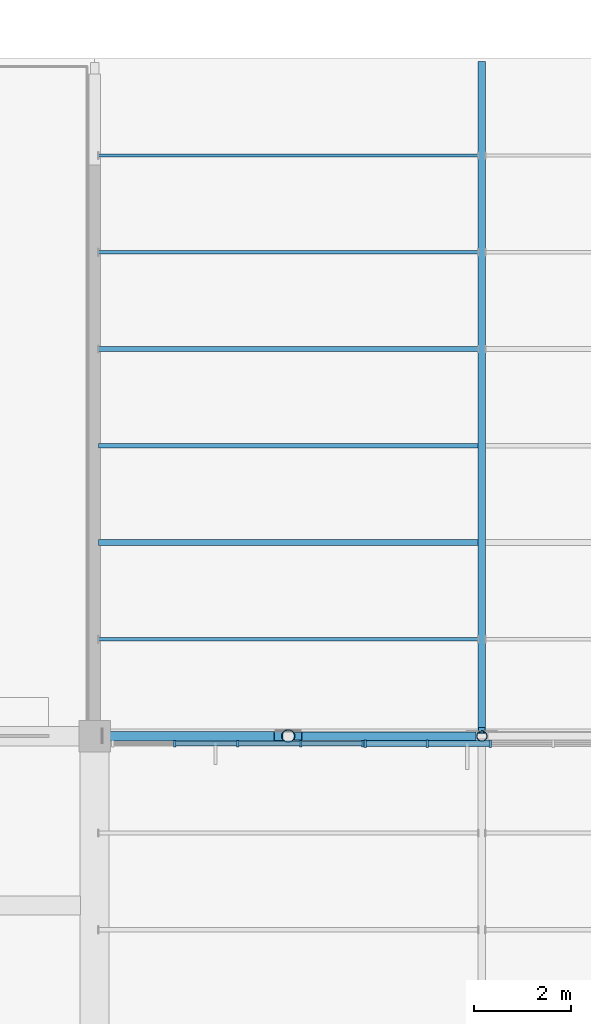
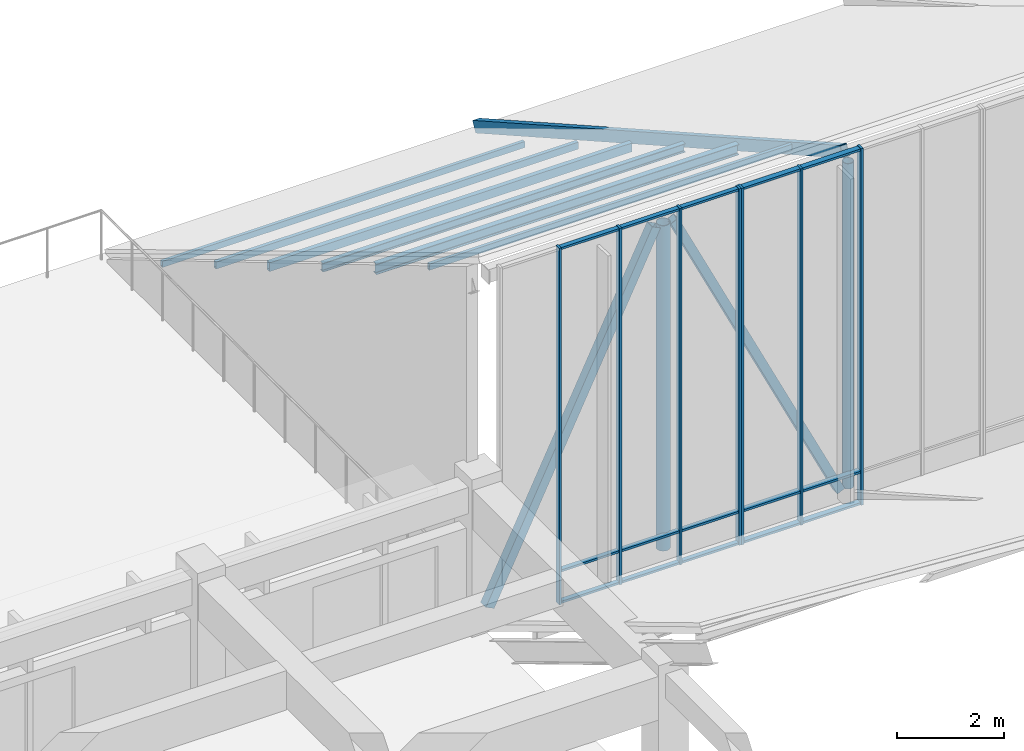
# One storey, part 64 of 155: 33 members, 2 elements without a shape of their own.
"""IFC4 building model written with IfcOpenShell, lengths in metres."""

from ifc_helpers import new_model, si_unit, direction, frame, origin, origin_2d, place, context, subcontext, project, spatial, rectangle, hollow_rectangle, hollow_circle, i_section, extrude, material, material_profile, profile_set, type_object, element, aggregate, save


model = new_model("IFC4")

# Units and contexts
model_context = context("Model", 3, precision=1e-05, world=origin(), true_north=direction((0.0, 1.0)))
body_context = subcontext(model_context, "Body", "Model", "MODEL_VIEW")
ifc_project = project(units=[si_unit("LENGTHUNIT", "METRE"), si_unit("AREAUNIT", "SQUARE_METRE"), si_unit("VOLUMEUNIT", "CUBIC_METRE"), si_unit("PLANEANGLEUNIT", "RADIAN"), si_unit("MASSUNIT", "GRAM", prefix="KILO")], contexts=[model_context])

# Site, building, storey
site_placement = place(None, origin())
site = spatial("IfcSite", under=ifc_project, at=site_placement, CompositionType="ELEMENT")
building_placement = place(site_placement, origin())
building = spatial("IfcBuilding", under=site, at=building_placement, Name="Larkveld Mobility Hub", CompositionType="ELEMENT")
storey_placement = place(building_placement, frame((0.0, 0.0, 8.39990234375)))
storey = spatial("IfcBuildingStorey", under=building, at=storey_placement, Name="L02", CompositionType="ELEMENT", Elevation=8.39990234375)

# Curtain wall, members
ifc_material_1 = material(Name="Anodised aluminium 6063-T6", Category="aluminium")
curtain_wall_type_1 = type_object("IfcCurtainWallType", Name="CW-SYS-09", PredefinedType="NOTDEFINED", material=ifc_material_1)
curtain_wall_1_placement = place(storey_placement, origin())
curtain_wall_1 = element("IfcCurtainWall", 1, at=curtain_wall_1_placement, inside=storey, type_object=curtain_wall_type_1, Name="Sawtooth South-Light Clerestory B7 CW-045", PredefinedType="NOTDEFINED")
ifc_material_profile_1 = material_profile(ifc_material_1, rectangle(XDim=0.050048828125, YDim=0.14990234375, at=origin_2d()), Name="ALU MULL 50x150")
ifc_profile_set_1 = profile_set([ifc_material_profile_1], Name="Anodised aluminium 6063-T6")
member_type_1 = type_object("IfcMemberType", Name="CW-MUL-01", PredefinedType="MULLION", material=ifc_profile_set_1)
member_1_placement = place(storey_placement, frame((157.592041015625, 111.844970703125, -0.001953125), z_axis=(0.0, 0.0, 1.0), x_axis=(1.0, 0.0, 0.0)))
member_1 = element("IfcMember", 2, at=member_1_placement, type_object=member_type_1, Name="CW09 mullion 1", PredefinedType="MULLION", context=body_context, shape_type="SweptSolid", body=[
    extrude(rectangle(XDim=0.050048828125, YDim=0.14990234375, at=origin_2d()), origin(), (0.0, 0.0, 1.0), 8.152099609375),
])
member_2_placement = place(storey_placement, frame((158.87109375, 111.844970703125, -0.001953125), z_axis=(0.0, 0.0, 1.0), x_axis=(1.0, 0.0, 0.0)))
member_2 = element("IfcMember", 3, at=member_2_placement, type_object=member_type_1, Name="CW09 mullion 2", PredefinedType="MULLION", context=body_context, shape_type="SweptSolid", body=[
    extrude(rectangle(XDim=0.050048828125, YDim=0.14990234375, at=origin_2d()), origin(), (0.0, 0.0, 1.0), 8.152099609375),
])
member_3_placement = place(storey_placement, frame((160.175048828125, 111.844970703125, -0.001953125), z_axis=(0.0, 0.0, 1.0), x_axis=(1.0, 0.0, 0.0)))
member_3 = element("IfcMember", 4, at=member_3_placement, type_object=member_type_1, Name="CW09 mullion 3", PredefinedType="MULLION", context=body_context, shape_type="SweptSolid", body=[
    extrude(rectangle(XDim=0.050048828125, YDim=0.14990234375, at=origin_2d()), origin(), (0.0, 0.0, 1.0), 8.152099609375),
])

curtain_wall_type_2 = type_object("IfcCurtainWallType", Name="CW-SYS-08", PredefinedType="NOTDEFINED", material=ifc_material_1)
curtain_wall_2_placement = place(storey_placement, origin())
curtain_wall_2 = element("IfcCurtainWall", 5, at=curtain_wall_2_placement, inside=storey, type_object=curtain_wall_type_2, Name="Sawtooth South-Light Clerestory B7 CW-044", PredefinedType="NOTDEFINED")
ifc_material_profile_2 = material_profile(ifc_material_1, rectangle(XDim=0.050048828125, YDim=0.1298828125, at=origin_2d()), Name="ALU MULL 50x130")
ifc_profile_set_2 = profile_set([ifc_material_profile_2], Name="Anodised aluminium 6063-T6")
member_type_2 = type_object("IfcMemberType", Name="CW-MUL-04", PredefinedType="MULLION", material=ifc_profile_set_2)
member_4_placement = place(storey_placement, frame((153.654052734375, 111.844970703125, -0.001953125), z_axis=(0.0, 0.0, 1.0), x_axis=(1.0, 0.0, 0.0)))
member_4 = element("IfcMember", 6, at=member_4_placement, type_object=member_type_2, Name="CW08 mullion 2", PredefinedType="MULLION", context=body_context, shape_type="SweptSolid", body=[
    extrude(rectangle(XDim=0.050048828125, YDim=0.1298828125, at=origin_2d()), origin(), (0.0, 0.0, 1.0), 8.152099609375),
])
member_5_placement = place(storey_placement, frame((154.9580078125, 111.844970703125, -0.001953125), z_axis=(0.0, 0.0, 1.0), x_axis=(1.0, 0.0, 0.0)))
member_5 = element("IfcMember", 7, at=member_5_placement, type_object=member_type_2, Name="CW08 mullion 3", PredefinedType="MULLION", context=body_context, shape_type="SweptSolid", body=[
    extrude(rectangle(XDim=0.050048828125, YDim=0.1298828125, at=origin_2d()), origin(), (0.0, 0.0, 1.0), 8.152099609375),
])
member_6_placement = place(storey_placement, frame((156.261962890625, 111.844970703125, -0.001953125), z_axis=(0.0, 0.0, 1.0), x_axis=(1.0, 0.0, 0.0)))
member_6 = element("IfcMember", 8, at=member_6_placement, type_object=member_type_2, Name="CW08 mullion 4", PredefinedType="MULLION", context=body_context, shape_type="SweptSolid", body=[
    extrude(rectangle(XDim=0.050048828125, YDim=0.1298828125, at=origin_2d()), origin(), (0.0, 0.0, 1.0), 8.152099609375),
])
member_7_placement = place(storey_placement, frame((157.5419921875, 111.844970703125, -0.001953125), z_axis=(0.0, 0.0, 1.0), x_axis=(1.0, 0.0, 0.0)))
member_7 = element("IfcMember", 9, at=member_7_placement, type_object=member_type_2, Name="CW08 mullion 5", PredefinedType="MULLION", context=body_context, shape_type="SweptSolid", body=[
    extrude(rectangle(XDim=0.050048828125, YDim=0.1298828125, at=origin_2d()), origin(), (0.0, 0.0, 1.0), 8.152099609375),
])

# Member
ifc_material_profile_3 = material_profile(ifc_material_1, rectangle(XDim=0.1201171875, YDim=0.050048828125, at=origin_2d()), Name="ALU TRAN 50x120")
ifc_profile_set_3 = profile_set([ifc_material_profile_3], Name="Anodised aluminium 6063-T6")
member_type_3 = type_object("IfcMemberType", Name="CW-TRN-01", PredefinedType="USERDEFINED", material=ifc_profile_set_3)
member_8_placement = place(storey_placement, frame((157.60205078125, 111.844970703125, 0.030029296875), z_axis=(1.0, 0.0, 0.0), x_axis=(0.0, 1.0, 0.0)))
member_8 = element("IfcMember", 10, at=member_8_placement, type_object=member_type_3, Name="CW09 transom 1.1", ObjectType="TRANSOM", PredefinedType="USERDEFINED", context=body_context, shape_type="SweptSolid", body=[
    extrude(rectangle(XDim=0.1201171875, YDim=0.050048828125, at=origin_2d()), origin(), (0.0, 0.0, 1.0), 1.25390625),
])

member_9_placement = place(storey_placement, frame((157.60205078125, 111.844970703125, 0.75), z_axis=(1.0, 0.0, 0.0), x_axis=(0.0, 1.0, 0.0)))
member_9 = element("IfcMember", 11, at=member_9_placement, type_object=member_type_3, Name="CW09 transom 1.2", ObjectType="TRANSOM", PredefinedType="USERDEFINED", context=body_context, shape_type="SweptSolid", body=[
    extrude(rectangle(XDim=0.1201171875, YDim=0.050048828125, at=origin_2d()), origin(), (0.0, 0.0, 1.0), 1.25390625),
])

member_10_placement = place(storey_placement, frame((157.60205078125, 111.844970703125, 8.1181640625), z_axis=(1.0, 0.0, 0.0), x_axis=(0.0, 1.0, 0.0)))
member_10 = element("IfcMember", 12, at=member_10_placement, type_object=member_type_3, Name="CW09 transom 1.3", ObjectType="TRANSOM", PredefinedType="USERDEFINED", context=body_context, shape_type="SweptSolid", body=[
    extrude(rectangle(XDim=0.1201171875, YDim=0.050048828125, at=origin_2d()), origin(), (0.0, 0.0, 1.0), 1.25390625),
])

member_11_placement = place(storey_placement, frame((158.885986328125, 111.844970703125, 0.030029296875), z_axis=(1.0, 0.0, 0.0), x_axis=(0.0, 1.0, 0.0)))
member_11 = element("IfcMember", 13, at=member_11_placement, type_object=member_type_3, Name="CW09 transom 2.1", ObjectType="TRANSOM", PredefinedType="USERDEFINED", context=body_context, shape_type="SweptSolid", body=[
    extrude(rectangle(XDim=0.1201171875, YDim=0.050048828125, at=origin_2d()), origin(), (0.0, 0.0, 1.0), 1.27392578125),
])

member_12_placement = place(storey_placement, frame((158.885986328125, 111.844970703125, 0.75), z_axis=(1.0, 0.0, 0.0), x_axis=(0.0, 1.0, 0.0)))
member_12 = element("IfcMember", 14, at=member_12_placement, type_object=member_type_3, Name="CW09 transom 2.2", ObjectType="TRANSOM", PredefinedType="USERDEFINED", context=body_context, shape_type="SweptSolid", body=[
    extrude(rectangle(XDim=0.1201171875, YDim=0.050048828125, at=origin_2d()), origin(), (0.0, 0.0, 1.0), 1.27392578125),
])

member_13_placement = place(storey_placement, frame((158.885986328125, 111.844970703125, 8.1181640625), z_axis=(1.0, 0.0, 0.0), x_axis=(0.0, 1.0, 0.0)))
member_13 = element("IfcMember", 15, at=member_13_placement, type_object=member_type_3, Name="CW09 transom 2.3", ObjectType="TRANSOM", PredefinedType="USERDEFINED", context=body_context, shape_type="SweptSolid", body=[
    extrude(rectangle(XDim=0.1201171875, YDim=0.050048828125, at=origin_2d()), origin(), (0.0, 0.0, 1.0), 1.27392578125),
])

aggregate(curtain_wall_1, [member_1, member_2, member_3, member_8, member_9, member_10, member_11, member_12, member_13])

ifc_material_profile_4 = material_profile(ifc_material_1, rectangle(XDim=0.10009765625, YDim=0.050048828125, at=origin_2d()), Name="ALU TRAN 50x100")
ifc_profile_set_4 = profile_set([ifc_material_profile_4], Name="Anodised aluminium 6063-T6")
member_type_4 = type_object("IfcMemberType", Name="CW-TRN-04", PredefinedType="USERDEFINED", material=ifc_profile_set_4)
member_14_placement = place(storey_placement, frame((153.6689453125, 111.844970703125, 0.030029296875), z_axis=(1.0, 0.0, 0.0), x_axis=(0.0, 1.0, 0.0)))
member_14 = element("IfcMember", 16, at=member_14_placement, type_object=member_type_4, Name="CW08 transom 2.1", ObjectType="TRANSOM", PredefinedType="USERDEFINED", context=body_context, shape_type="SweptSolid", body=[
    extrude(rectangle(XDim=0.10009765625, YDim=0.050048828125, at=origin_2d()), origin(), (0.0, 0.0, 1.0), 1.274169921875),
])

member_15_placement = place(storey_placement, frame((153.6689453125, 111.844970703125, 0.75), z_axis=(1.0, 0.0, 0.0), x_axis=(0.0, 1.0, 0.0)))
member_15 = element("IfcMember", 17, at=member_15_placement, type_object=member_type_4, Name="CW08 transom 2.2", ObjectType="TRANSOM", PredefinedType="USERDEFINED", context=body_context, shape_type="SweptSolid", body=[
    extrude(rectangle(XDim=0.10009765625, YDim=0.050048828125, at=origin_2d()), origin(), (0.0, 0.0, 1.0), 1.274169921875),
])

member_16_placement = place(storey_placement, frame((153.6689453125, 111.844970703125, 8.1181640625), z_axis=(1.0, 0.0, 0.0), x_axis=(0.0, 1.0, 0.0)))
member_16 = element("IfcMember", 18, at=member_16_placement, type_object=member_type_4, Name="CW08 transom 2.3", ObjectType="TRANSOM", PredefinedType="USERDEFINED", context=body_context, shape_type="SweptSolid", body=[
    extrude(rectangle(XDim=0.10009765625, YDim=0.050048828125, at=origin_2d()), origin(), (0.0, 0.0, 1.0), 1.274169921875),
])

member_17_placement = place(storey_placement, frame((154.972900390625, 111.844970703125, 0.030029296875), z_axis=(1.0, 0.0, 0.0), x_axis=(0.0, 1.0, 0.0)))
member_17 = element("IfcMember", 19, at=member_17_placement, type_object=member_type_4, Name="CW08 transom 3.1", ObjectType="TRANSOM", PredefinedType="USERDEFINED", context=body_context, shape_type="SweptSolid", body=[
    extrude(rectangle(XDim=0.10009765625, YDim=0.050048828125, at=origin_2d()), origin(), (0.0, 0.0, 1.0), 1.275146484375),
])

member_18_placement = place(storey_placement, frame((154.972900390625, 111.844970703125, 0.75), z_axis=(1.0, 0.0, 0.0), x_axis=(0.0, 1.0, 0.0)))
member_18 = element("IfcMember", 20, at=member_18_placement, type_object=member_type_4, Name="CW08 transom 3.2", ObjectType="TRANSOM", PredefinedType="USERDEFINED", context=body_context, shape_type="SweptSolid", body=[
    extrude(rectangle(XDim=0.10009765625, YDim=0.050048828125, at=origin_2d()), origin(), (0.0, 0.0, 1.0), 1.275146484375),
])

member_19_placement = place(storey_placement, frame((154.972900390625, 111.844970703125, 8.1181640625), z_axis=(1.0, 0.0, 0.0), x_axis=(0.0, 1.0, 0.0)))
member_19 = element("IfcMember", 21, at=member_19_placement, type_object=member_type_4, Name="CW08 transom 3.3", ObjectType="TRANSOM", PredefinedType="USERDEFINED", context=body_context, shape_type="SweptSolid", body=[
    extrude(rectangle(XDim=0.10009765625, YDim=0.050048828125, at=origin_2d()), origin(), (0.0, 0.0, 1.0), 1.275146484375),
])

member_20_placement = place(storey_placement, frame((156.278076171875, 111.844970703125, 0.030029296875), z_axis=(1.0, 0.0, 0.0), x_axis=(0.0, 1.0, 0.0)))
member_20 = element("IfcMember", 22, at=member_20_placement, type_object=member_type_4, Name="CW08 transom 4.1", ObjectType="TRANSOM", PredefinedType="USERDEFINED", context=body_context, shape_type="SweptSolid", body=[
    extrude(rectangle(XDim=0.10009765625, YDim=0.050048828125, at=origin_2d()), origin(), (0.0, 0.0, 1.0), 1.25390625),
])

member_21_placement = place(storey_placement, frame((156.278076171875, 111.844970703125, 0.75), z_axis=(1.0, 0.0, 0.0), x_axis=(0.0, 1.0, 0.0)))
member_21 = element("IfcMember", 23, at=member_21_placement, type_object=member_type_4, Name="CW08 transom 4.2", ObjectType="TRANSOM", PredefinedType="USERDEFINED", context=body_context, shape_type="SweptSolid", body=[
    extrude(rectangle(XDim=0.10009765625, YDim=0.050048828125, at=origin_2d()), origin(), (0.0, 0.0, 1.0), 1.25390625),
])

member_22_placement = place(storey_placement, frame((156.278076171875, 111.844970703125, 8.1181640625), z_axis=(1.0, 0.0, 0.0), x_axis=(0.0, 1.0, 0.0)))
member_22 = element("IfcMember", 24, at=member_22_placement, type_object=member_type_4, Name="CW08 transom 4.3", ObjectType="TRANSOM", PredefinedType="USERDEFINED", context=body_context, shape_type="SweptSolid", body=[
    extrude(rectangle(XDim=0.10009765625, YDim=0.050048828125, at=origin_2d()), origin(), (0.0, 0.0, 1.0), 1.25390625),
])

aggregate(curtain_wall_2, [member_4, member_5, member_6, member_7, member_14, member_15, member_16, member_17, member_18, member_19, member_20, member_21, member_22])

# Members
ifc_material_2 = material(Name="Steel S355JR", Category="steel")
ifc_material_profile_5 = material_profile(ifc_material_2, hollow_circle(Radius=0.109619140625, WallThickness=0.010009765625, at=origin_2d()), Name="CHS 219.1x10")
ifc_profile_set_5 = profile_set([ifc_material_profile_5], Name="Steel S355JR")
member_type_5 = type_object("IfcMemberType", Name="MB-BR-CHS219", PredefinedType="BRACE", material=ifc_profile_set_5)
member_23_placement = place(storey_placement, frame((160.0, 112.0, 0.360107421875), z_axis=(0.0, 0.0, 1.0), x_axis=(1.0, 0.0, 0.0)))
element("IfcMember", 25, at=member_23_placement, inside=storey, type_object=member_type_5, Name="ROOF TRUSS T7 Vertical Post 2", PredefinedType="BRACE", context=body_context, shape_type="SweptSolid", body=[
    extrude(hollow_circle(Radius=0.109619140625, WallThickness=0.010009765625, at=origin_2d()), origin(), (0.0, 0.0, 1.0), 7.43994140625),
])
ifc_material_profile_6 = material_profile(ifc_material_2, hollow_circle(Radius=0.136474609375, WallThickness=0.012451171875, at=origin_2d()), Name="CHS 273x12.5")
ifc_profile_set_6 = profile_set([ifc_material_profile_6], Name="Steel S355JR")
member_type_6 = type_object("IfcMemberType", Name="MB-BR-CHS273", PredefinedType="BRACE", material=ifc_profile_set_6)
member_24_placement = place(storey_placement, frame((156.0, 112.0, 0.360107421875), z_axis=(0.0, 0.0, 1.0), x_axis=(1.0, 0.0, 0.0)))
element("IfcMember", 26, at=member_24_placement, inside=storey, type_object=member_type_6, Name="ROOF TRUSS T7 Vertical Post 1", PredefinedType="BRACE", context=body_context, shape_type="SweptSolid", body=[
    extrude(hollow_circle(Radius=0.136474609375, WallThickness=0.012451171875, at=origin_2d()), origin(), (0.0, 0.0, 1.0), 7.43994140625),
])
ifc_material_profile_7 = material_profile(ifc_material_2, hollow_rectangle(XDim=0.179931640625, YDim=0.179931640625, WallThickness=0.010009765625, at=origin_2d()), Name="SHS 180x180x10")
ifc_profile_set_7 = profile_set([ifc_material_profile_7], Name="Steel S355JR")
member_type_7 = type_object("IfcMemberType", Name="MB-BR-SHS180", PredefinedType="BRACE", material=ifc_profile_set_7)
member_25_placement = place(storey_placement, frame((156.199951171875, 112.0, 7.800048828125), z_axis=(0.435573281392, 0.0, -0.900153273914), x_axis=(0.0, 1.0, 0.0)))
element("IfcMember", 27, at=member_25_placement, inside=storey, type_object=member_type_7, Name="ROOF TRUSS T7 Web Diagonal 2", PredefinedType="BRACE", context=body_context, shape_type="SweptSolid", body=[
    extrude(hollow_rectangle(XDim=0.179931640625, YDim=0.179931640625, WallThickness=0.010009765625, at=origin_2d()), origin(), (0.0, 0.0, 1.0), 8.26513671875),
])
ifc_material_profile_8 = material_profile(ifc_material_2, hollow_rectangle(XDim=0.199951171875, YDim=0.199951171875, WallThickness=0.010009765625, at=origin_2d()), Name="SHS 200x200x10")
ifc_profile_set_8 = profile_set([ifc_material_profile_8], Name="Steel S355JR")
member_type_8 = type_object("IfcMemberType", Name="MB-BR-SHS200", PredefinedType="BRACE", material=ifc_profile_set_8)
member_26_placement = place(storey_placement, frame((152.199951171875, 112.0, 0.360107421875), z_axis=(0.435573281392, 0.0, 0.900153273914), x_axis=(0.0, 1.0, 0.0)))
element("IfcMember", 28, at=member_26_placement, inside=storey, type_object=member_type_8, Name="ROOF TRUSS T7 Web Diagonal 1", PredefinedType="BRACE", context=body_context, shape_type="SweptSolid", body=[
    extrude(hollow_rectangle(XDim=0.199951171875, YDim=0.199951171875, WallThickness=0.010009765625, at=origin_2d()), origin(), (0.0, 0.0, 1.0), 8.26513671875),
])
ifc_material_profile_9 = material_profile(ifc_material_2, hollow_rectangle(XDim=0.14990234375, YDim=0.25, WallThickness=0.010009765625, at=origin_2d()), Name="RHS 250x150x10")
ifc_profile_set_9 = profile_set([ifc_material_profile_9], Name="Steel S355JR")
member_type_9 = type_object("IfcMemberType", Name="MB-CH-RHS250", PredefinedType="CHORD", material=ifc_profile_set_9)
member_27_placement = place(storey_placement, frame((160.0, 112.1201171875, 7.9501953125), z_axis=(0.0, 0.870759014799, -0.491710014283), x_axis=(-1.0, 0.0, 0.0)))
element("IfcMember", 29, at=member_27_placement, inside=storey, type_object=member_type_9, Name="ROOF TRUSS Sloped Rafter Chord B7-160", PredefinedType="CHORD", context=body_context, shape_type="SweptSolid", body=[
    extrude(hollow_rectangle(XDim=0.14990234375, YDim=0.25, WallThickness=0.010009765625, at=origin_2d()), origin(), (0.0, 0.0, 1.0), 15.802001953125),
])
ifc_material_profile_10 = material_profile(ifc_material_2, i_section(OverallWidth=0.10009765625, OverallDepth=0.199951171875, WebThickness=0.005615234375, FlangeThickness=0.008544921875, FilletRadius=0.011962890625, at=origin_2d()), Name="IPE 200")
ifc_profile_set_10 = profile_set([ifc_material_profile_10], Name="Steel S355JR")
member_type_10 = type_object("IfcMemberType", Name="MB-PR-IPE200", PredefinedType="PURLIN", material=ifc_profile_set_10)
member_28_placement = place(storey_placement, frame((152.080078125, 118.0, 4.507080078125), z_axis=(1.0, 0.0, 0.0), x_axis=(0.0, 1.0, 0.0)))
element("IfcMember", 30, at=member_28_placement, inside=storey, type_object=member_type_10, Name="Sawtooth Roof Purlin B7-3.1", PredefinedType="PURLIN", context=body_context, shape_type="SweptSolid", body=[
    extrude(i_section(OverallWidth=0.10009765625, OverallDepth=0.199951171875, WebThickness=0.005615234375, FlangeThickness=0.008544921875, FilletRadius=0.011962890625, at=origin_2d()), origin(), (0.0, 0.0, 1.0), 7.83984375),
])
ifc_material_profile_11 = material_profile(ifc_material_2, i_section(OverallWidth=0.1201171875, OverallDepth=0.239990234375, WebThickness=0.006103515625, FlangeThickness=0.009765625, FilletRadius=0.014892578125, at=origin_2d()), Name="IPE 240")
ifc_profile_set_11 = profile_set([ifc_material_profile_11], Name="Steel S355JR")
member_type_11 = type_object("IfcMemberType", Name="MB-PR-IPE240", PredefinedType="PURLIN", material=ifc_profile_set_11)
member_29_placement = place(storey_placement, frame((152.080078125, 116.0, 5.68701171875), z_axis=(1.0, 0.0, 0.0), x_axis=(0.0, 1.0, 0.0)))
element("IfcMember", 31, at=member_29_placement, inside=storey, type_object=member_type_11, Name="Sawtooth Roof Purlin B7-2.1", PredefinedType="PURLIN", context=body_context, shape_type="SweptSolid", body=[
    extrude(i_section(OverallWidth=0.1201171875, OverallDepth=0.239990234375, WebThickness=0.006103515625, FlangeThickness=0.009765625, FilletRadius=0.014892578125, at=origin_2d()), origin(), (0.0, 0.0, 1.0), 7.83984375),
])
ifc_material_profile_12 = material_profile(ifc_material_2, hollow_rectangle(XDim=0.070068359375, YDim=0.139892578125, WallThickness=0.00634765625, at=origin_2d()), Name="RHS 140x70x6.3")
ifc_profile_set_12 = profile_set([ifc_material_profile_12], Name="Steel S355JR")
member_type_12 = type_object("IfcMemberType", Name="MB-PR-RHS140", PredefinedType="PURLIN", material=ifc_profile_set_12)
for number, where, z_axis, x_axis, name in (
    (32, (152.080078125, 114.0, 6.93701171875), (1.0, 0.0, 0.0), (0.0, 1.0, 0.0), "Sawtooth Roof Purlin B7-1.1"),
    (33, (152.080078125, 124.0, 0.93701171875), (1.0, 0.0, 0.0), (0.0, 1.0, 0.0), "Sawtooth Roof Purlin B7-6.1"),
):
    element("IfcMember", number, at=place(storey_placement, frame(where, z_axis=z_axis, x_axis=x_axis)), inside=storey, type_object=member_type_12, Name=name, PredefinedType="PURLIN", context=body_context, shape_type="SweptSolid", body=[
        extrude(hollow_rectangle(XDim=0.070068359375, YDim=0.139892578125, WallThickness=0.00634765625, at=origin_2d()), origin(), (0.0, 0.0, 1.0), 7.83984375),
    ])
ifc_material_profile_13 = material_profile(ifc_material_2, hollow_rectangle(XDim=0.080078125, YDim=0.159912109375, WallThickness=0.008056640625, at=origin_2d()), Name="RHS 160x80x8")
ifc_profile_set_13 = profile_set([ifc_material_profile_13], Name="Steel S355JR")
member_type_13 = type_object("IfcMemberType", Name="MB-PR-RHS160", PredefinedType="PURLIN", material=ifc_profile_set_13)
member_30_placement = place(storey_placement, frame((152.080078125, 122.0, 2.127197265625), z_axis=(1.0, 0.0, 0.0), x_axis=(0.0, 1.0, 0.0)))
element("IfcMember", 34, at=member_30_placement, inside=storey, type_object=member_type_13, Name="Sawtooth Roof Purlin B7-5.1", PredefinedType="PURLIN", context=body_context, shape_type="SweptSolid", body=[
    extrude(hollow_rectangle(XDim=0.080078125, YDim=0.159912109375, WallThickness=0.008056640625, at=origin_2d()), origin(), (0.0, 0.0, 1.0), 7.83984375),
])
ifc_material_profile_14 = material_profile(ifc_material_2, hollow_rectangle(XDim=0.10009765625, YDim=0.199951171875, WallThickness=0.008056640625, at=origin_2d()), Name="RHS 200x100x8")
ifc_profile_set_14 = profile_set([ifc_material_profile_14], Name="Steel S355JR")
member_type_14 = type_object("IfcMemberType", Name="MB-PR-RHS200", PredefinedType="PURLIN", material=ifc_profile_set_14)
member_31_placement = place(storey_placement, frame((152.080078125, 120.0, 3.30712890625), z_axis=(1.0, 0.0, 0.0), x_axis=(0.0, 1.0, 0.0)))
element("IfcMember", 35, at=member_31_placement, inside=storey, type_object=member_type_14, Name="Sawtooth Roof Purlin B7-4.1", PredefinedType="PURLIN", context=body_context, shape_type="SweptSolid", body=[
    extrude(hollow_rectangle(XDim=0.10009765625, YDim=0.199951171875, WallThickness=0.008056640625, at=origin_2d()), origin(), (0.0, 0.0, 1.0), 7.83984375),
])

save(model, "model.ifc")
